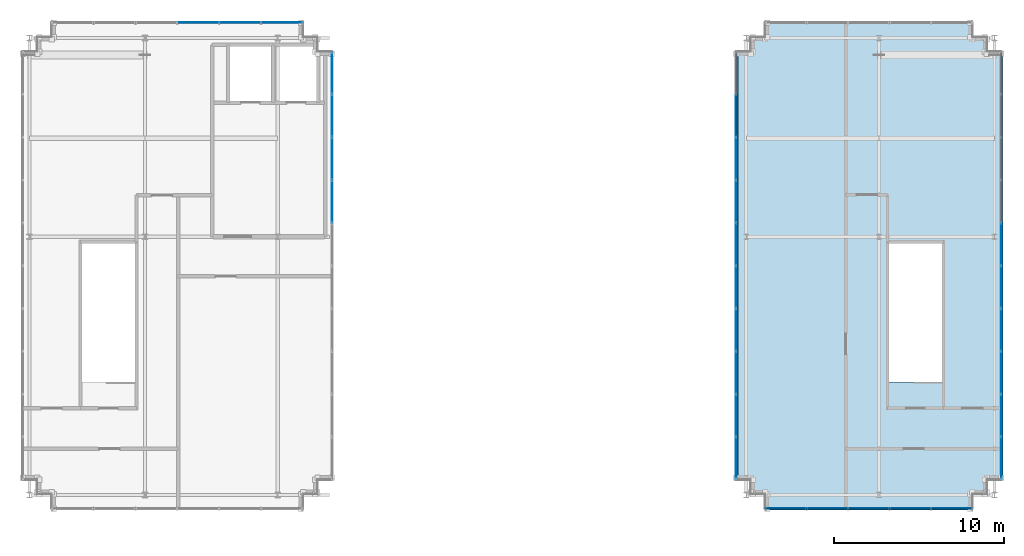
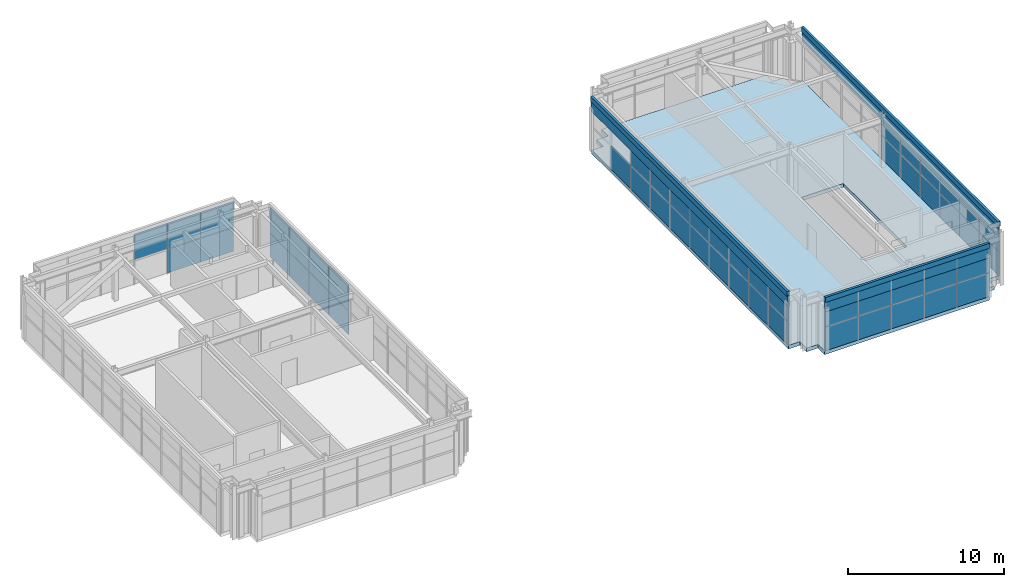
# One storey, part 19 of 25: 58 plates, 1 slab, 5 elements without a shape of their own.
"""IFC4 building model written with IfcOpenShell, lengths in metres."""

from ifc_helpers import new_model, si_unit, direction, frame, origin, origin_2d, place, context, subcontext, project, spatial, polyline, rectangle, outline, extrude, source, transform, mapped, material, layer, layer_set, type_object, element, aggregate, save


model = new_model("IFC4")

# Units and contexts
model_context = context("Model", 3, precision=1e-05, world=origin(), true_north=direction((0.0, 1.0)))
body_context = subcontext(model_context, "Body", "Model", "MODEL_VIEW")
ifc_project = project(units=[si_unit("LENGTHUNIT", "METRE"), si_unit("AREAUNIT", "SQUARE_METRE"), si_unit("VOLUMEUNIT", "CUBIC_METRE"), si_unit("PLANEANGLEUNIT", "RADIAN"), si_unit("MASSUNIT", "GRAM", prefix="KILO")], contexts=[model_context])

# Site, building, storey
site_placement = place(None, origin())
site = spatial("IfcSite", under=ifc_project, at=site_placement, CompositionType="ELEMENT")
building_placement = place(site_placement, origin())
building = spatial("IfcBuilding", under=site, at=building_placement, Name="Trelvane Seafront Commons", CompositionType="ELEMENT")
storey_placement = place(building_placement, frame((0.0, 0.0, 320.89990234375)))
storey = spatial("IfcBuildingStorey", under=building, at=storey_placement, Name="L83", CompositionType="ELEMENT", Elevation=320.89990234375)

# Slab
ifc_material_1 = material(Name="Concrete C50/60", Category="concrete")
ifc_layer_1 = layer(ifc_material_1, 0.2900390625, Name="STR-SLB-CRN290")
ifc_layer_set_1 = layer_set([ifc_layer_1], Name="Concrete C50/60")
slab_type = type_object("IfcSlabType", Name="STR-SLB-CRN290", PredefinedType="FLOOR", material=ifc_layer_set_1)
slab_placement = place(storey_placement, frame((0.0, 0.0, -0.289794921875)))
element("IfcSlab", 1, at=slab_placement, inside=storey, type_object=slab_type, Name="L83 East Crown Peak Floor Slab", PredefinedType="FLOOR", context=body_context, shape_type="SweptSolid", body=[
    extrude(outline(polyline([(52.10009765625, 17.39990234375), (64.300048828125, 17.39990234375), (64.300048828125, 18.25), (65.14990234375, 18.25), (65.14990234375, 19.10009765625), (66.0, 19.10009765625), (66.0, 44.300048828125), (65.14990234375, 44.300048828125), (65.14990234375, 45.14990234375), (64.300048828125, 45.14990234375), (64.300048828125, 46.0), (52.10009765625, 46.0), (52.10009765625, 45.14990234375), (51.25, 45.14990234375), (51.25, 44.300048828125), (50.39990234375, 44.300048828125), (50.39990234375, 19.10009765625), (51.25, 19.10009765625), (51.25, 18.25), (52.10009765625, 18.25), (52.10009765625, 17.39990234375)]), holes=[polyline([(62.5, 33.0), (62.5, 24.85009765625), (59.39990234375, 24.85009765625), (59.39990234375, 33.0), (62.5, 33.0)])]), origin(), (0.0, 0.0, 1.0), 0.289794921875),
])

# Plates
ifc_material_2 = material(Name="Anodised pale-silver aluminium", Category="aluminium")
ifc_layer_2 = layer(ifc_material_2, 0.080078125, Name="ARCH-PLATE-LOUVRE")
ifc_layer_set_2 = layer_set([ifc_layer_2], Name="Anodised pale-silver aluminium")
plate_type_1 = type_object("IfcPlateType", Name="ARCH-PLATE-LOUVRE", PredefinedType="USERDEFINED", material=ifc_layer_set_2)
shared_shape_1 = source(origin(), body_context, "Body", "SweptSolid", [
    extrude(rectangle(XDim=25.199951171875, YDim=0.080078125, at=origin_2d()), origin(), (0.0, 0.0, 1.0), 0.889892578125),
])
for number, where, z_axis, x_axis, name in (
    (2, (50.39990234375, 31.699951171875, 3.05029296875), (0.0, 0.0, 1.0), (0.0, 1.0, 0.0), "LOU-L83-053"),
    (3, (66.0, 31.699951171875, 3.05029296875), (0.0, 0.0, 1.0), (0.0, -1.0, 0.0), "LOU-L83-055"),
):
    element("IfcPlate", number, at=place(storey_placement, frame(where, z_axis=z_axis, x_axis=x_axis)), inside=storey, type_object=plate_type_1, Name=name, ObjectType="LOUVRE", PredefinedType="USERDEFINED", context=body_context, shape_type="MappedRepresentation", body=[
        mapped(shared_shape_1, transform((0.0, 0.0, 0.0), x_axis=(1.0, 0.0, 0.0), y_axis=(0.0, 1.0, 0.0), z_axis=(0.0, 0.0, 1.0), scale=1.0)),
    ])
shared_shape_2 = source(origin(), body_context, "Body", "SweptSolid", [
    extrude(rectangle(XDim=12.199951171875, YDim=0.080078125, at=origin_2d()), origin(), (0.0, 0.0, 1.0), 0.889892578125),
])
plate_1_placement = place(storey_placement, frame((58.199951171875, 17.39990234375, 3.05029296875), z_axis=(0.0, 0.0, 1.0), x_axis=(-1.0, 0.0, 0.0)))
element("IfcPlate", 4, at=plate_1_placement, inside=storey, type_object=plate_type_1, Name="LOU-L83-056", ObjectType="LOUVRE", PredefinedType="USERDEFINED", context=body_context, shape_type="MappedRepresentation", body=[
    mapped(shared_shape_2, transform((0.0, 0.0, 0.0), x_axis=(1.0, 0.0, 0.0), y_axis=(0.0, 1.0, 0.0), z_axis=(0.0, 0.0, 1.0), scale=1.0)),
])

# Curtain wall, plates
curtain_wall_type = type_object("IfcCurtainWallType", Name="ARCH-CW6-CROWN", PredefinedType="NOTDEFINED", material=ifc_material_2)
curtain_wall_1_placement = place(storey_placement, origin())
curtain_wall_1 = element("IfcCurtainWall", 5, at=curtain_wall_1_placement, inside=storey, type_object=curtain_wall_type, Name="CW-L83-0162", PredefinedType="NOTDEFINED")
ifc_material_3 = material(Name="Low-E coastal double glazing", Category="glass")
ifc_layer_3 = layer(ifc_material_3, 0.033935546875, Name="ARCH-CW-GLAZ-34")
ifc_layer_set_3 = layer_set([ifc_layer_3], Name="Low-E coastal double glazing")
plate_type_2 = type_object("IfcPlateType", Name="ARCH-CW-GLAZ-34", PredefinedType="CURTAIN_PANEL", material=ifc_layer_set_3)
shared_shape_3 = source(origin(), body_context, "Body", "SweptSolid", [
    extrude(rectangle(XDim=2.49609375, YDim=0.031982421875, at=origin_2d()), origin(), (0.0, 0.0, 1.0), 1.85400390625),
])
plate_2_placement = place(storey_placement, frame((26.60009765625, 43.0400390625, 0.0), z_axis=(0.0, 0.0, 1.0), x_axis=(0.0, -1.0, 0.0)))
plate_2 = element("IfcPlate", 6, at=plate_2_placement, type_object=plate_type_2, Name="CW-L83-0162-P00-1", PredefinedType="CURTAIN_PANEL", context=body_context, shape_type="MappedRepresentation", body=[
    mapped(shared_shape_3, transform((0.0, 0.0, 0.0), x_axis=(1.0, 0.0, 0.0), y_axis=(0.0, 1.0, 0.0), z_axis=(0.0, 0.0, 1.0), scale=1.0)),
])
plate_3_placement = place(storey_placement, frame((26.60009765625, 40.52001953125, 0.0), z_axis=(0.0, 0.0, 1.0), x_axis=(0.0, -1.0, 0.0)))
plate_3 = element("IfcPlate", 7, at=plate_3_placement, type_object=plate_type_2, Name="CW-L83-0162-P01-1", PredefinedType="CURTAIN_PANEL", context=body_context, shape_type="MappedRepresentation", body=[
    mapped(shared_shape_3, transform((0.0, 0.0, 0.0), x_axis=(1.0, 0.0, 0.0), y_axis=(0.0, 1.0, 0.0), z_axis=(0.0, 0.0, 1.0), scale=1.0)),
])
plate_4_placement = place(storey_placement, frame((26.60009765625, 38.0, 0.0), z_axis=(0.0, 0.0, 1.0), x_axis=(0.0, -1.0, 0.0)))
plate_4 = element("IfcPlate", 8, at=plate_4_placement, type_object=plate_type_2, Name="CW-L83-0162-P02-1", PredefinedType="CURTAIN_PANEL", context=body_context, shape_type="MappedRepresentation", body=[
    mapped(shared_shape_3, transform((0.0, 0.0, 0.0), x_axis=(1.0, 0.0, 0.0), y_axis=(0.0, 1.0, 0.0), z_axis=(0.0, 0.0, 1.0), scale=1.0)),
])
plate_5_placement = place(storey_placement, frame((26.60009765625, 35.47998046875, 0.0), z_axis=(0.0, 0.0, 1.0), x_axis=(0.0, -1.0, 0.0)))
plate_5 = element("IfcPlate", 9, at=plate_5_placement, type_object=plate_type_2, Name="CW-L83-0162-P03-1", PredefinedType="CURTAIN_PANEL", context=body_context, shape_type="MappedRepresentation", body=[
    mapped(shared_shape_3, transform((0.0, 0.0, 0.0), x_axis=(1.0, 0.0, 0.0), y_axis=(0.0, 1.0, 0.0), z_axis=(0.0, 0.0, 1.0), scale=1.0)),
])

curtain_wall_2_placement = place(storey_placement, origin())
curtain_wall_2 = element("IfcCurtainWall", 10, at=curtain_wall_2_placement, inside=storey, type_object=curtain_wall_type, Name="CW-L83-0164", PredefinedType="NOTDEFINED")
plate_6_placement = place(storey_placement, frame((50.39990234375, 20.360107421875, 0.0), z_axis=(0.0, 0.0, 1.0), x_axis=(0.0, 1.0, 0.0)))
plate_6 = element("IfcPlate", 11, at=plate_6_placement, type_object=plate_type_2, Name="CW-L83-0164-P00-1", PredefinedType="CURTAIN_PANEL", context=body_context, shape_type="MappedRepresentation", body=[
    mapped(shared_shape_3, transform((0.0, 0.0, 0.0), x_axis=(1.0, 0.0, 0.0), y_axis=(0.0, 1.0, 0.0), z_axis=(0.0, 0.0, 1.0), scale=1.0)),
])
plate_7_placement = place(storey_placement, frame((50.39990234375, 22.8798828125, 0.0), z_axis=(0.0, 0.0, 1.0), x_axis=(0.0, 1.0, 0.0)))
plate_7 = element("IfcPlate", 12, at=plate_7_placement, type_object=plate_type_2, Name="CW-L83-0164-P01-1", PredefinedType="CURTAIN_PANEL", context=body_context, shape_type="MappedRepresentation", body=[
    mapped(shared_shape_3, transform((0.0, 0.0, 0.0), x_axis=(1.0, 0.0, 0.0), y_axis=(0.0, 1.0, 0.0), z_axis=(0.0, 0.0, 1.0), scale=1.0)),
])
plate_8_placement = place(storey_placement, frame((50.39990234375, 25.39990234375, 0.0), z_axis=(0.0, 0.0, 1.0), x_axis=(0.0, 1.0, 0.0)))
plate_8 = element("IfcPlate", 13, at=plate_8_placement, type_object=plate_type_2, Name="CW-L83-0164-P02-1", PredefinedType="CURTAIN_PANEL", context=body_context, shape_type="MappedRepresentation", body=[
    mapped(shared_shape_3, transform((0.0, 0.0, 0.0), x_axis=(1.0, 0.0, 0.0), y_axis=(0.0, 1.0, 0.0), z_axis=(0.0, 0.0, 1.0), scale=1.0)),
])
plate_9_placement = place(storey_placement, frame((50.39990234375, 27.919921875, 0.0), z_axis=(0.0, 0.0, 1.0), x_axis=(0.0, 1.0, 0.0)))
plate_9 = element("IfcPlate", 14, at=plate_9_placement, type_object=plate_type_2, Name="CW-L83-0164-P03-1", PredefinedType="CURTAIN_PANEL", context=body_context, shape_type="MappedRepresentation", body=[
    mapped(shared_shape_3, transform((0.0, 0.0, 0.0), x_axis=(1.0, 0.0, 0.0), y_axis=(0.0, 1.0, 0.0), z_axis=(0.0, 0.0, 1.0), scale=1.0)),
])
plate_10_placement = place(storey_placement, frame((50.39990234375, 30.43994140625, 0.0), z_axis=(0.0, 0.0, 1.0), x_axis=(0.0, 1.0, 0.0)))
plate_10 = element("IfcPlate", 15, at=plate_10_placement, type_object=plate_type_2, Name="CW-L83-0164-P04-1", PredefinedType="CURTAIN_PANEL", context=body_context, shape_type="MappedRepresentation", body=[
    mapped(shared_shape_3, transform((0.0, 0.0, 0.0), x_axis=(1.0, 0.0, 0.0), y_axis=(0.0, 1.0, 0.0), z_axis=(0.0, 0.0, 1.0), scale=1.0)),
])
plate_11_placement = place(storey_placement, frame((50.39990234375, 32.9599609375, 0.0), z_axis=(0.0, 0.0, 1.0), x_axis=(0.0, 1.0, 0.0)))
plate_11 = element("IfcPlate", 16, at=plate_11_placement, type_object=plate_type_2, Name="CW-L83-0164-P05-1", PredefinedType="CURTAIN_PANEL", context=body_context, shape_type="MappedRepresentation", body=[
    mapped(shared_shape_3, transform((0.0, 0.0, 0.0), x_axis=(1.0, 0.0, 0.0), y_axis=(0.0, 1.0, 0.0), z_axis=(0.0, 0.0, 1.0), scale=1.0)),
])
plate_12_placement = place(storey_placement, frame((50.39990234375, 35.47998046875, 0.0), z_axis=(0.0, 0.0, 1.0), x_axis=(0.0, 1.0, 0.0)))
plate_12 = element("IfcPlate", 17, at=plate_12_placement, type_object=plate_type_2, Name="CW-L83-0164-P06-1", PredefinedType="CURTAIN_PANEL", context=body_context, shape_type="MappedRepresentation", body=[
    mapped(shared_shape_3, transform((0.0, 0.0, 0.0), x_axis=(1.0, 0.0, 0.0), y_axis=(0.0, 1.0, 0.0), z_axis=(0.0, 0.0, 1.0), scale=1.0)),
])
plate_13_placement = place(storey_placement, frame((50.39990234375, 38.0, 0.0), z_axis=(0.0, 0.0, 1.0), x_axis=(0.0, 1.0, 0.0)))
plate_13 = element("IfcPlate", 18, at=plate_13_placement, type_object=plate_type_2, Name="CW-L83-0164-P07-1", PredefinedType="CURTAIN_PANEL", context=body_context, shape_type="MappedRepresentation", body=[
    mapped(shared_shape_3, transform((0.0, 0.0, 0.0), x_axis=(1.0, 0.0, 0.0), y_axis=(0.0, 1.0, 0.0), z_axis=(0.0, 0.0, 1.0), scale=1.0)),
])
plate_14_placement = place(storey_placement, frame((50.39990234375, 40.52001953125, 0.0), z_axis=(0.0, 0.0, 1.0), x_axis=(0.0, 1.0, 0.0)))
plate_14 = element("IfcPlate", 19, at=plate_14_placement, type_object=plate_type_2, Name="CW-L83-0164-P08-1", PredefinedType="CURTAIN_PANEL", context=body_context, shape_type="MappedRepresentation", body=[
    mapped(shared_shape_3, transform((0.0, 0.0, 0.0), x_axis=(1.0, 0.0, 0.0), y_axis=(0.0, 1.0, 0.0), z_axis=(0.0, 0.0, 1.0), scale=1.0)),
])

curtain_wall_3_placement = place(storey_placement, origin())
curtain_wall_3 = element("IfcCurtainWall", 20, at=curtain_wall_3_placement, inside=storey, type_object=curtain_wall_type, Name="CW-L83-0166", PredefinedType="NOTDEFINED")
plate_15_placement = place(storey_placement, frame((66.0, 32.9599609375, 0.0), z_axis=(0.0, 0.0, 1.0), x_axis=(0.0, -1.0, 0.0)))
plate_15 = element("IfcPlate", 21, at=plate_15_placement, type_object=plate_type_2, Name="CW-L83-0166-P04-1", PredefinedType="CURTAIN_PANEL", context=body_context, shape_type="MappedRepresentation", body=[
    mapped(shared_shape_3, transform((0.0, 0.0, 0.0), x_axis=(1.0, 0.0, 0.0), y_axis=(0.0, 1.0, 0.0), z_axis=(0.0, 0.0, 1.0), scale=1.0)),
])
plate_16_placement = place(storey_placement, frame((66.0, 30.43994140625, 0.0), z_axis=(0.0, 0.0, 1.0), x_axis=(0.0, -1.0, 0.0)))
plate_16 = element("IfcPlate", 22, at=plate_16_placement, type_object=plate_type_2, Name="CW-L83-0166-P05-1", PredefinedType="CURTAIN_PANEL", context=body_context, shape_type="MappedRepresentation", body=[
    mapped(shared_shape_3, transform((0.0, 0.0, 0.0), x_axis=(1.0, 0.0, 0.0), y_axis=(0.0, 1.0, 0.0), z_axis=(0.0, 0.0, 1.0), scale=1.0)),
])
plate_17_placement = place(storey_placement, frame((66.0, 27.919921875, 0.0), z_axis=(0.0, 0.0, 1.0), x_axis=(0.0, -1.0, 0.0)))
plate_17 = element("IfcPlate", 23, at=plate_17_placement, type_object=plate_type_2, Name="CW-L83-0166-P06-1", PredefinedType="CURTAIN_PANEL", context=body_context, shape_type="MappedRepresentation", body=[
    mapped(shared_shape_3, transform((0.0, 0.0, 0.0), x_axis=(1.0, 0.0, 0.0), y_axis=(0.0, 1.0, 0.0), z_axis=(0.0, 0.0, 1.0), scale=1.0)),
])
plate_18_placement = place(storey_placement, frame((66.0, 25.39990234375, 0.0), z_axis=(0.0, 0.0, 1.0), x_axis=(0.0, -1.0, 0.0)))
plate_18 = element("IfcPlate", 24, at=plate_18_placement, type_object=plate_type_2, Name="CW-L83-0166-P07-1", PredefinedType="CURTAIN_PANEL", context=body_context, shape_type="MappedRepresentation", body=[
    mapped(shared_shape_3, transform((0.0, 0.0, 0.0), x_axis=(1.0, 0.0, 0.0), y_axis=(0.0, 1.0, 0.0), z_axis=(0.0, 0.0, 1.0), scale=1.0)),
])
plate_19_placement = place(storey_placement, frame((66.0, 22.8798828125, 0.0), z_axis=(0.0, 0.0, 1.0), x_axis=(0.0, -1.0, 0.0)))
plate_19 = element("IfcPlate", 25, at=plate_19_placement, type_object=plate_type_2, Name="CW-L83-0166-P08-1", PredefinedType="CURTAIN_PANEL", context=body_context, shape_type="MappedRepresentation", body=[
    mapped(shared_shape_3, transform((0.0, 0.0, 0.0), x_axis=(1.0, 0.0, 0.0), y_axis=(0.0, 1.0, 0.0), z_axis=(0.0, 0.0, 1.0), scale=1.0)),
])
plate_20_placement = place(storey_placement, frame((66.0, 20.360107421875, 0.0), z_axis=(0.0, 0.0, 1.0), x_axis=(0.0, -1.0, 0.0)))
plate_20 = element("IfcPlate", 26, at=plate_20_placement, type_object=plate_type_2, Name="CW-L83-0166-P09-1", PredefinedType="CURTAIN_PANEL", context=body_context, shape_type="MappedRepresentation", body=[
    mapped(shared_shape_3, transform((0.0, 0.0, 0.0), x_axis=(1.0, 0.0, 0.0), y_axis=(0.0, 1.0, 0.0), z_axis=(0.0, 0.0, 1.0), scale=1.0)),
])

# Plate
shared_shape_4 = source(origin(), body_context, "Body", "SweptSolid", [
    extrude(rectangle(XDim=2.49609375, YDim=0.031982421875, at=origin_2d()), origin(), (0.0, 0.0, 1.0), 2.010009765625),
])
plate_21_placement = place(storey_placement, frame((26.60009765625, 43.0400390625, 1.89013671875), z_axis=(0.0, 0.0, 1.0), x_axis=(0.0, -1.0, 0.0)))
plate_21 = element("IfcPlate", 27, at=plate_21_placement, type_object=plate_type_2, Name="CW-L83-0162-P00-2", PredefinedType="CURTAIN_PANEL", context=body_context, shape_type="MappedRepresentation", body=[
    mapped(shared_shape_4, transform((0.0, 0.0, 0.0), x_axis=(1.0, 0.0, 0.0), y_axis=(0.0, 1.0, 0.0), z_axis=(0.0, 0.0, 1.0), scale=1.0)),
])

plate_22_placement = place(storey_placement, frame((26.60009765625, 40.52001953125, 1.89013671875), z_axis=(0.0, 0.0, 1.0), x_axis=(0.0, -1.0, 0.0)))
plate_22 = element("IfcPlate", 28, at=plate_22_placement, type_object=plate_type_2, Name="CW-L83-0162-P01-2", PredefinedType="CURTAIN_PANEL", context=body_context, shape_type="MappedRepresentation", body=[
    mapped(shared_shape_4, transform((0.0, 0.0, 0.0), x_axis=(1.0, 0.0, 0.0), y_axis=(0.0, 1.0, 0.0), z_axis=(0.0, 0.0, 1.0), scale=1.0)),
])

plate_23_placement = place(storey_placement, frame((26.60009765625, 38.0, 1.89013671875), z_axis=(0.0, 0.0, 1.0), x_axis=(0.0, -1.0, 0.0)))
plate_23 = element("IfcPlate", 29, at=plate_23_placement, type_object=plate_type_2, Name="CW-L83-0162-P02-2", PredefinedType="CURTAIN_PANEL", context=body_context, shape_type="MappedRepresentation", body=[
    mapped(shared_shape_4, transform((0.0, 0.0, 0.0), x_axis=(1.0, 0.0, 0.0), y_axis=(0.0, 1.0, 0.0), z_axis=(0.0, 0.0, 1.0), scale=1.0)),
])

plate_24_placement = place(storey_placement, frame((26.60009765625, 35.47998046875, 1.89013671875), z_axis=(0.0, 0.0, 1.0), x_axis=(0.0, -1.0, 0.0)))
plate_24 = element("IfcPlate", 30, at=plate_24_placement, type_object=plate_type_2, Name="CW-L83-0162-P03-2", PredefinedType="CURTAIN_PANEL", context=body_context, shape_type="MappedRepresentation", body=[
    mapped(shared_shape_4, transform((0.0, 0.0, 0.0), x_axis=(1.0, 0.0, 0.0), y_axis=(0.0, 1.0, 0.0), z_axis=(0.0, 0.0, 1.0), scale=1.0)),
])

aggregate(curtain_wall_1, [plate_2, plate_21, plate_3, plate_22, plate_4, plate_23, plate_5, plate_24])

plate_25_placement = place(storey_placement, frame((50.39990234375, 20.360107421875, 1.89013671875), z_axis=(0.0, 0.0, 1.0), x_axis=(0.0, 1.0, 0.0)))
plate_25 = element("IfcPlate", 31, at=plate_25_placement, type_object=plate_type_2, Name="CW-L83-0164-P00-2", PredefinedType="CURTAIN_PANEL", context=body_context, shape_type="MappedRepresentation", body=[
    mapped(shared_shape_4, transform((0.0, 0.0, 0.0), x_axis=(1.0, 0.0, 0.0), y_axis=(0.0, 1.0, 0.0), z_axis=(0.0, 0.0, 1.0), scale=1.0)),
])

plate_26_placement = place(storey_placement, frame((50.39990234375, 22.8798828125, 1.89013671875), z_axis=(0.0, 0.0, 1.0), x_axis=(0.0, 1.0, 0.0)))
plate_26 = element("IfcPlate", 32, at=plate_26_placement, type_object=plate_type_2, Name="CW-L83-0164-P01-2", PredefinedType="CURTAIN_PANEL", context=body_context, shape_type="MappedRepresentation", body=[
    mapped(shared_shape_4, transform((0.0, 0.0, 0.0), x_axis=(1.0, 0.0, 0.0), y_axis=(0.0, 1.0, 0.0), z_axis=(0.0, 0.0, 1.0), scale=1.0)),
])

plate_27_placement = place(storey_placement, frame((50.39990234375, 25.39990234375, 1.89013671875), z_axis=(0.0, 0.0, 1.0), x_axis=(0.0, 1.0, 0.0)))
plate_27 = element("IfcPlate", 33, at=plate_27_placement, type_object=plate_type_2, Name="CW-L83-0164-P02-2", PredefinedType="CURTAIN_PANEL", context=body_context, shape_type="MappedRepresentation", body=[
    mapped(shared_shape_4, transform((0.0, 0.0, 0.0), x_axis=(1.0, 0.0, 0.0), y_axis=(0.0, 1.0, 0.0), z_axis=(0.0, 0.0, 1.0), scale=1.0)),
])

plate_28_placement = place(storey_placement, frame((50.39990234375, 27.919921875, 1.89013671875), z_axis=(0.0, 0.0, 1.0), x_axis=(0.0, 1.0, 0.0)))
plate_28 = element("IfcPlate", 34, at=plate_28_placement, type_object=plate_type_2, Name="CW-L83-0164-P03-2", PredefinedType="CURTAIN_PANEL", context=body_context, shape_type="MappedRepresentation", body=[
    mapped(shared_shape_4, transform((0.0, 0.0, 0.0), x_axis=(1.0, 0.0, 0.0), y_axis=(0.0, 1.0, 0.0), z_axis=(0.0, 0.0, 1.0), scale=1.0)),
])

plate_29_placement = place(storey_placement, frame((50.39990234375, 30.43994140625, 1.89013671875), z_axis=(0.0, 0.0, 1.0), x_axis=(0.0, 1.0, 0.0)))
plate_29 = element("IfcPlate", 35, at=plate_29_placement, type_object=plate_type_2, Name="CW-L83-0164-P04-2", PredefinedType="CURTAIN_PANEL", context=body_context, shape_type="MappedRepresentation", body=[
    mapped(shared_shape_4, transform((0.0, 0.0, 0.0), x_axis=(1.0, 0.0, 0.0), y_axis=(0.0, 1.0, 0.0), z_axis=(0.0, 0.0, 1.0), scale=1.0)),
])

plate_30_placement = place(storey_placement, frame((50.39990234375, 32.9599609375, 1.89013671875), z_axis=(0.0, 0.0, 1.0), x_axis=(0.0, 1.0, 0.0)))
plate_30 = element("IfcPlate", 36, at=plate_30_placement, type_object=plate_type_2, Name="CW-L83-0164-P05-2", PredefinedType="CURTAIN_PANEL", context=body_context, shape_type="MappedRepresentation", body=[
    mapped(shared_shape_4, transform((0.0, 0.0, 0.0), x_axis=(1.0, 0.0, 0.0), y_axis=(0.0, 1.0, 0.0), z_axis=(0.0, 0.0, 1.0), scale=1.0)),
])

plate_31_placement = place(storey_placement, frame((50.39990234375, 35.47998046875, 1.89013671875), z_axis=(0.0, 0.0, 1.0), x_axis=(0.0, 1.0, 0.0)))
plate_31 = element("IfcPlate", 37, at=plate_31_placement, type_object=plate_type_2, Name="CW-L83-0164-P06-2", PredefinedType="CURTAIN_PANEL", context=body_context, shape_type="MappedRepresentation", body=[
    mapped(shared_shape_4, transform((0.0, 0.0, 0.0), x_axis=(1.0, 0.0, 0.0), y_axis=(0.0, 1.0, 0.0), z_axis=(0.0, 0.0, 1.0), scale=1.0)),
])

plate_32_placement = place(storey_placement, frame((50.39990234375, 38.0, 1.89013671875), z_axis=(0.0, 0.0, 1.0), x_axis=(0.0, 1.0, 0.0)))
plate_32 = element("IfcPlate", 38, at=plate_32_placement, type_object=plate_type_2, Name="CW-L83-0164-P07-2", PredefinedType="CURTAIN_PANEL", context=body_context, shape_type="MappedRepresentation", body=[
    mapped(shared_shape_4, transform((0.0, 0.0, 0.0), x_axis=(1.0, 0.0, 0.0), y_axis=(0.0, 1.0, 0.0), z_axis=(0.0, 0.0, 1.0), scale=1.0)),
])

aggregate(curtain_wall_2, [plate_6, plate_25, plate_7, plate_26, plate_8, plate_27, plate_9, plate_28, plate_10, plate_29, plate_11, plate_30, plate_12, plate_31, plate_13, plate_32, plate_14])

plate_33_placement = place(storey_placement, frame((66.0, 32.9599609375, 1.89013671875), z_axis=(0.0, 0.0, 1.0), x_axis=(0.0, -1.0, 0.0)))
plate_33 = element("IfcPlate", 39, at=plate_33_placement, type_object=plate_type_2, Name="CW-L83-0166-P04-2", PredefinedType="CURTAIN_PANEL", context=body_context, shape_type="MappedRepresentation", body=[
    mapped(shared_shape_4, transform((0.0, 0.0, 0.0), x_axis=(1.0, 0.0, 0.0), y_axis=(0.0, 1.0, 0.0), z_axis=(0.0, 0.0, 1.0), scale=1.0)),
])

plate_34_placement = place(storey_placement, frame((66.0, 30.43994140625, 1.89013671875), z_axis=(0.0, 0.0, 1.0), x_axis=(0.0, -1.0, 0.0)))
plate_34 = element("IfcPlate", 40, at=plate_34_placement, type_object=plate_type_2, Name="CW-L83-0166-P05-2", PredefinedType="CURTAIN_PANEL", context=body_context, shape_type="MappedRepresentation", body=[
    mapped(shared_shape_4, transform((0.0, 0.0, 0.0), x_axis=(1.0, 0.0, 0.0), y_axis=(0.0, 1.0, 0.0), z_axis=(0.0, 0.0, 1.0), scale=1.0)),
])

plate_35_placement = place(storey_placement, frame((66.0, 27.919921875, 1.89013671875), z_axis=(0.0, 0.0, 1.0), x_axis=(0.0, -1.0, 0.0)))
plate_35 = element("IfcPlate", 41, at=plate_35_placement, type_object=plate_type_2, Name="CW-L83-0166-P06-2", PredefinedType="CURTAIN_PANEL", context=body_context, shape_type="MappedRepresentation", body=[
    mapped(shared_shape_4, transform((0.0, 0.0, 0.0), x_axis=(1.0, 0.0, 0.0), y_axis=(0.0, 1.0, 0.0), z_axis=(0.0, 0.0, 1.0), scale=1.0)),
])

plate_36_placement = place(storey_placement, frame((66.0, 25.39990234375, 1.89013671875), z_axis=(0.0, 0.0, 1.0), x_axis=(0.0, -1.0, 0.0)))
plate_36 = element("IfcPlate", 42, at=plate_36_placement, type_object=plate_type_2, Name="CW-L83-0166-P07-2", PredefinedType="CURTAIN_PANEL", context=body_context, shape_type="MappedRepresentation", body=[
    mapped(shared_shape_4, transform((0.0, 0.0, 0.0), x_axis=(1.0, 0.0, 0.0), y_axis=(0.0, 1.0, 0.0), z_axis=(0.0, 0.0, 1.0), scale=1.0)),
])

plate_37_placement = place(storey_placement, frame((66.0, 22.8798828125, 1.89013671875), z_axis=(0.0, 0.0, 1.0), x_axis=(0.0, -1.0, 0.0)))
plate_37 = element("IfcPlate", 43, at=plate_37_placement, type_object=plate_type_2, Name="CW-L83-0166-P08-2", PredefinedType="CURTAIN_PANEL", context=body_context, shape_type="MappedRepresentation", body=[
    mapped(shared_shape_4, transform((0.0, 0.0, 0.0), x_axis=(1.0, 0.0, 0.0), y_axis=(0.0, 1.0, 0.0), z_axis=(0.0, 0.0, 1.0), scale=1.0)),
])

plate_38_placement = place(storey_placement, frame((66.0, 20.360107421875, 1.89013671875), z_axis=(0.0, 0.0, 1.0), x_axis=(0.0, -1.0, 0.0)))
plate_38 = element("IfcPlate", 44, at=plate_38_placement, type_object=plate_type_2, Name="CW-L83-0166-P09-2", PredefinedType="CURTAIN_PANEL", context=body_context, shape_type="MappedRepresentation", body=[
    mapped(shared_shape_4, transform((0.0, 0.0, 0.0), x_axis=(1.0, 0.0, 0.0), y_axis=(0.0, 1.0, 0.0), z_axis=(0.0, 0.0, 1.0), scale=1.0)),
])

aggregate(curtain_wall_3, [plate_15, plate_33, plate_16, plate_34, plate_17, plate_35, plate_18, plate_36, plate_19, plate_37, plate_20, plate_38])

# Plates
ifc_layer_4 = layer(ifc_material_2, 0.179931640625, Name="ARCH-PLATE-AERO")
ifc_layer_set_4 = layer_set([ifc_layer_4], Name="Anodised pale-silver aluminium")
plate_type_3 = type_object("IfcPlateType", Name="ARCH-PLATE-AERO", PredefinedType="SHEET", material=ifc_layer_set_4)
shared_shape_5 = source(origin(), body_context, "Body", "SweptSolid", [
    extrude(rectangle(XDim=25.199951171875, YDim=0.179931640625, at=origin_2d()), origin(), (0.0, 0.0, 1.0), 0.3798828125),
])
for number, where, z_axis, x_axis, name in (
    (45, (50.39990234375, 31.699951171875, 3.840087890625), (0.0, 0.0, 1.0), (0.0, 1.0, 0.0), "AER-L83-00310"),
    (46, (66.0, 31.699951171875, 3.840087890625), (0.0, 0.0, 1.0), (0.0, -1.0, 0.0), "AER-L83-00312"),
):
    element("IfcPlate", number, at=place(storey_placement, frame(where, z_axis=z_axis, x_axis=x_axis)), inside=storey, type_object=plate_type_3, Name=name, PredefinedType="SHEET", context=body_context, shape_type="MappedRepresentation", body=[
        mapped(shared_shape_5, transform((0.0, 0.0, 0.0), x_axis=(1.0, 0.0, 0.0), y_axis=(0.0, 1.0, 0.0), z_axis=(0.0, 0.0, 1.0), scale=1.0)),
    ])

# Curtain wall, plates
curtain_wall_4_placement = place(storey_placement, origin())
curtain_wall_4 = element("IfcCurtainWall", 47, at=curtain_wall_4_placement, inside=storey, type_object=curtain_wall_type, Name="CW-L83-0161", PredefinedType="NOTDEFINED")
shared_shape_6 = source(origin(), body_context, "Body", "SweptSolid", [
    extrude(rectangle(XDim=2.442626953125, YDim=0.031982421875, at=origin_2d()), origin(), (0.0, 0.0, 1.0), 1.85400390625),
])
plate_39_placement = place(storey_placement, frame((21.199951171875, 46.0, 0.0), z_axis=(0.0, 0.0, 1.0), x_axis=(1.0, 0.0, 0.0)))
plate_39 = element("IfcPlate", 48, at=plate_39_placement, type_object=plate_type_2, Name="CW-L83-0161-P04-1", PredefinedType="CURTAIN_PANEL", context=body_context, shape_type="MappedRepresentation", body=[
    mapped(shared_shape_6, transform((0.0, 0.0, 0.0), x_axis=(1.0, 0.0, 0.0), y_axis=(0.0, 1.0, 0.0), z_axis=(0.0, 0.0, 1.0), scale=1.0)),
])
plate_40_placement = place(storey_placement, frame((23.666748046875, 46.0, 0.0), z_axis=(0.0, 0.0, 1.0), x_axis=(1.0, 0.0, 0.0)))
plate_40 = element("IfcPlate", 49, at=plate_40_placement, type_object=plate_type_2, Name="CW-L83-0161-P05-1", PredefinedType="CURTAIN_PANEL", context=body_context, shape_type="MappedRepresentation", body=[
    mapped(shared_shape_6, transform((0.0, 0.0, 0.0), x_axis=(1.0, 0.0, 0.0), y_axis=(0.0, 1.0, 0.0), z_axis=(0.0, 0.0, 1.0), scale=1.0)),
])
shared_shape_7 = source(origin(), body_context, "Body", "SweptSolid", [
    extrude(rectangle(XDim=2.442626953125, YDim=0.031982421875, at=origin_2d()), origin(), (0.0, 0.0, 1.0), 2.010009765625),
])
plate_41_placement = place(storey_placement, frame((18.7333984375, 46.0, 1.89013671875), z_axis=(0.0, 0.0, 1.0), x_axis=(1.0, 0.0, 0.0)))
plate_41 = element("IfcPlate", 50, at=plate_41_placement, type_object=plate_type_2, Name="CW-L83-0161-P03-2", PredefinedType="CURTAIN_PANEL", context=body_context, shape_type="MappedRepresentation", body=[
    mapped(shared_shape_7, transform((0.0, 0.0, 0.0), x_axis=(1.0, 0.0, 0.0), y_axis=(0.0, 1.0, 0.0), z_axis=(0.0, 0.0, 1.0), scale=1.0)),
])
plate_42_placement = place(storey_placement, frame((21.199951171875, 46.0, 1.89013671875), z_axis=(0.0, 0.0, 1.0), x_axis=(1.0, 0.0, 0.0)))
plate_42 = element("IfcPlate", 51, at=plate_42_placement, type_object=plate_type_2, Name="CW-L83-0161-P04-2", PredefinedType="CURTAIN_PANEL", context=body_context, shape_type="MappedRepresentation", body=[
    mapped(shared_shape_7, transform((0.0, 0.0, 0.0), x_axis=(1.0, 0.0, 0.0), y_axis=(0.0, 1.0, 0.0), z_axis=(0.0, 0.0, 1.0), scale=1.0)),
])
plate_43_placement = place(storey_placement, frame((23.666748046875, 46.0, 1.89013671875), z_axis=(0.0, 0.0, 1.0), x_axis=(1.0, 0.0, 0.0)))
plate_43 = element("IfcPlate", 52, at=plate_43_placement, type_object=plate_type_2, Name="CW-L83-0161-P05-2", PredefinedType="CURTAIN_PANEL", context=body_context, shape_type="MappedRepresentation", body=[
    mapped(shared_shape_7, transform((0.0, 0.0, 0.0), x_axis=(1.0, 0.0, 0.0), y_axis=(0.0, 1.0, 0.0), z_axis=(0.0, 0.0, 1.0), scale=1.0)),
])
aggregate(curtain_wall_4, [plate_41, plate_39, plate_42, plate_40, plate_43])

curtain_wall_5_placement = place(storey_placement, origin())
curtain_wall_5 = element("IfcCurtainWall", 53, at=curtain_wall_5_placement, inside=storey, type_object=curtain_wall_type, Name="CW-L83-0167", PredefinedType="NOTDEFINED")
shared_shape_8 = source(origin(), body_context, "Body", "SweptSolid", [
    extrude(rectangle(XDim=2.416015625, YDim=0.031982421875, at=origin_2d()), origin(), (0.0, 0.0, 1.0), 1.85400390625),
])
plate_44_placement = place(storey_placement, frame((63.080078125, 17.39990234375, 0.0), z_axis=(0.0, 0.0, 1.0), x_axis=(-1.0, 0.0, 0.0)))
plate_44 = element("IfcPlate", 54, at=plate_44_placement, type_object=plate_type_2, Name="CW-L83-0167-P00-1", PredefinedType="CURTAIN_PANEL", context=body_context, shape_type="MappedRepresentation", body=[
    mapped(shared_shape_8, transform((0.0, 0.0, 0.0), x_axis=(1.0, 0.0, 0.0), y_axis=(0.0, 1.0, 0.0), z_axis=(0.0, 0.0, 1.0), scale=1.0)),
])
plate_45_placement = place(storey_placement, frame((60.639892578125, 17.39990234375, 0.0), z_axis=(0.0, 0.0, 1.0), x_axis=(-1.0, 0.0, 0.0)))
plate_45 = element("IfcPlate", 55, at=plate_45_placement, type_object=plate_type_2, Name="CW-L83-0167-P01-1", PredefinedType="CURTAIN_PANEL", context=body_context, shape_type="MappedRepresentation", body=[
    mapped(shared_shape_8, transform((0.0, 0.0, 0.0), x_axis=(1.0, 0.0, 0.0), y_axis=(0.0, 1.0, 0.0), z_axis=(0.0, 0.0, 1.0), scale=1.0)),
])
plate_46_placement = place(storey_placement, frame((58.199951171875, 17.39990234375, 0.0), z_axis=(0.0, 0.0, 1.0), x_axis=(-1.0, 0.0, 0.0)))
plate_46 = element("IfcPlate", 56, at=plate_46_placement, type_object=plate_type_2, Name="CW-L83-0167-P02-1", PredefinedType="CURTAIN_PANEL", context=body_context, shape_type="MappedRepresentation", body=[
    mapped(shared_shape_8, transform((0.0, 0.0, 0.0), x_axis=(1.0, 0.0, 0.0), y_axis=(0.0, 1.0, 0.0), z_axis=(0.0, 0.0, 1.0), scale=1.0)),
])
plate_47_placement = place(storey_placement, frame((55.760009765625, 17.39990234375, 0.0), z_axis=(0.0, 0.0, 1.0), x_axis=(-1.0, 0.0, 0.0)))
plate_47 = element("IfcPlate", 57, at=plate_47_placement, type_object=plate_type_2, Name="CW-L83-0167-P03-1", PredefinedType="CURTAIN_PANEL", context=body_context, shape_type="MappedRepresentation", body=[
    mapped(shared_shape_8, transform((0.0, 0.0, 0.0), x_axis=(1.0, 0.0, 0.0), y_axis=(0.0, 1.0, 0.0), z_axis=(0.0, 0.0, 1.0), scale=1.0)),
])
plate_48_placement = place(storey_placement, frame((53.320068359375, 17.39990234375, 0.0), z_axis=(0.0, 0.0, 1.0), x_axis=(-1.0, 0.0, 0.0)))
plate_48 = element("IfcPlate", 58, at=plate_48_placement, type_object=plate_type_2, Name="CW-L83-0167-P04-1", PredefinedType="CURTAIN_PANEL", context=body_context, shape_type="MappedRepresentation", body=[
    mapped(shared_shape_8, transform((0.0, 0.0, 0.0), x_axis=(1.0, 0.0, 0.0), y_axis=(0.0, 1.0, 0.0), z_axis=(0.0, 0.0, 1.0), scale=1.0)),
])
shared_shape_9 = source(origin(), body_context, "Body", "SweptSolid", [
    extrude(rectangle(XDim=2.416015625, YDim=0.031982421875, at=origin_2d()), origin(), (0.0, 0.0, 1.0), 2.010009765625),
])
plate_49_placement = place(storey_placement, frame((63.080078125, 17.39990234375, 1.89013671875), z_axis=(0.0, 0.0, 1.0), x_axis=(-1.0, 0.0, 0.0)))
plate_49 = element("IfcPlate", 59, at=plate_49_placement, type_object=plate_type_2, Name="CW-L83-0167-P00-2", PredefinedType="CURTAIN_PANEL", context=body_context, shape_type="MappedRepresentation", body=[
    mapped(shared_shape_9, transform((0.0, 0.0, 0.0), x_axis=(1.0, 0.0, 0.0), y_axis=(0.0, 1.0, 0.0), z_axis=(0.0, 0.0, 1.0), scale=1.0)),
])
plate_50_placement = place(storey_placement, frame((60.639892578125, 17.39990234375, 1.89013671875), z_axis=(0.0, 0.0, 1.0), x_axis=(-1.0, 0.0, 0.0)))
plate_50 = element("IfcPlate", 60, at=plate_50_placement, type_object=plate_type_2, Name="CW-L83-0167-P01-2", PredefinedType="CURTAIN_PANEL", context=body_context, shape_type="MappedRepresentation", body=[
    mapped(shared_shape_9, transform((0.0, 0.0, 0.0), x_axis=(1.0, 0.0, 0.0), y_axis=(0.0, 1.0, 0.0), z_axis=(0.0, 0.0, 1.0), scale=1.0)),
])
plate_51_placement = place(storey_placement, frame((58.199951171875, 17.39990234375, 1.89013671875), z_axis=(0.0, 0.0, 1.0), x_axis=(-1.0, 0.0, 0.0)))
plate_51 = element("IfcPlate", 61, at=plate_51_placement, type_object=plate_type_2, Name="CW-L83-0167-P02-2", PredefinedType="CURTAIN_PANEL", context=body_context, shape_type="MappedRepresentation", body=[
    mapped(shared_shape_9, transform((0.0, 0.0, 0.0), x_axis=(1.0, 0.0, 0.0), y_axis=(0.0, 1.0, 0.0), z_axis=(0.0, 0.0, 1.0), scale=1.0)),
])
plate_52_placement = place(storey_placement, frame((55.760009765625, 17.39990234375, 1.89013671875), z_axis=(0.0, 0.0, 1.0), x_axis=(-1.0, 0.0, 0.0)))
plate_52 = element("IfcPlate", 62, at=plate_52_placement, type_object=plate_type_2, Name="CW-L83-0167-P03-2", PredefinedType="CURTAIN_PANEL", context=body_context, shape_type="MappedRepresentation", body=[
    mapped(shared_shape_9, transform((0.0, 0.0, 0.0), x_axis=(1.0, 0.0, 0.0), y_axis=(0.0, 1.0, 0.0), z_axis=(0.0, 0.0, 1.0), scale=1.0)),
])
plate_53_placement = place(storey_placement, frame((53.320068359375, 17.39990234375, 1.89013671875), z_axis=(0.0, 0.0, 1.0), x_axis=(-1.0, 0.0, 0.0)))
plate_53 = element("IfcPlate", 63, at=plate_53_placement, type_object=plate_type_2, Name="CW-L83-0167-P04-2", PredefinedType="CURTAIN_PANEL", context=body_context, shape_type="MappedRepresentation", body=[
    mapped(shared_shape_9, transform((0.0, 0.0, 0.0), x_axis=(1.0, 0.0, 0.0), y_axis=(0.0, 1.0, 0.0), z_axis=(0.0, 0.0, 1.0), scale=1.0)),
])
aggregate(curtain_wall_5, [plate_44, plate_49, plate_45, plate_50, plate_46, plate_51, plate_47, plate_52, plate_48, plate_53])

# Plate
shared_shape_10 = source(origin(), body_context, "Body", "SweptSolid", [
    extrude(rectangle(XDim=12.199951171875, YDim=0.179931640625, at=origin_2d()), origin(), (0.0, 0.0, 1.0), 0.3798828125),
])
plate_54_placement = place(storey_placement, frame((58.199951171875, 17.39990234375, 3.840087890625), z_axis=(0.0, 0.0, 1.0), x_axis=(-1.0, 0.0, 0.0)))
element("IfcPlate", 64, at=plate_54_placement, inside=storey, type_object=plate_type_3, Name="AER-L83-00313", PredefinedType="SHEET", context=body_context, shape_type="MappedRepresentation", body=[
    mapped(shared_shape_10, transform((0.0, 0.0, 0.0), x_axis=(1.0, 0.0, 0.0), y_axis=(0.0, 1.0, 0.0), z_axis=(0.0, 0.0, 1.0), scale=1.0)),
])

save(model, "model.ifc")
